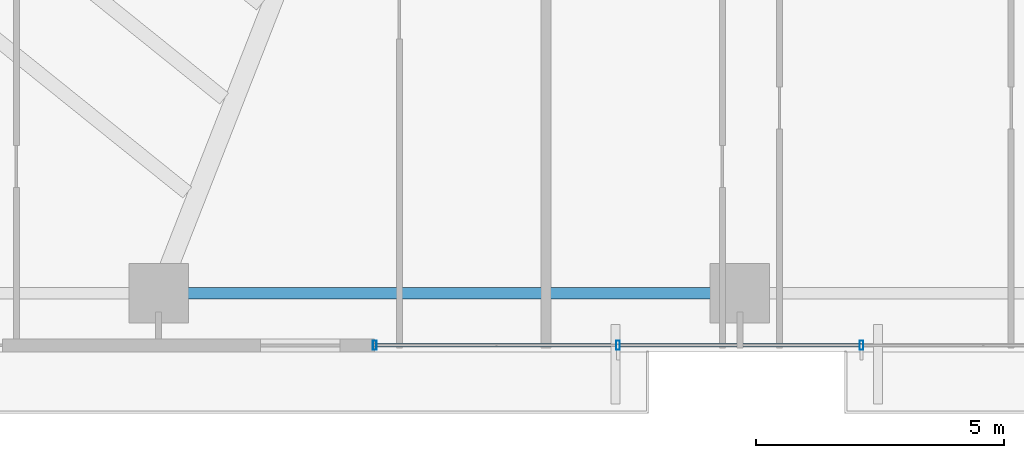
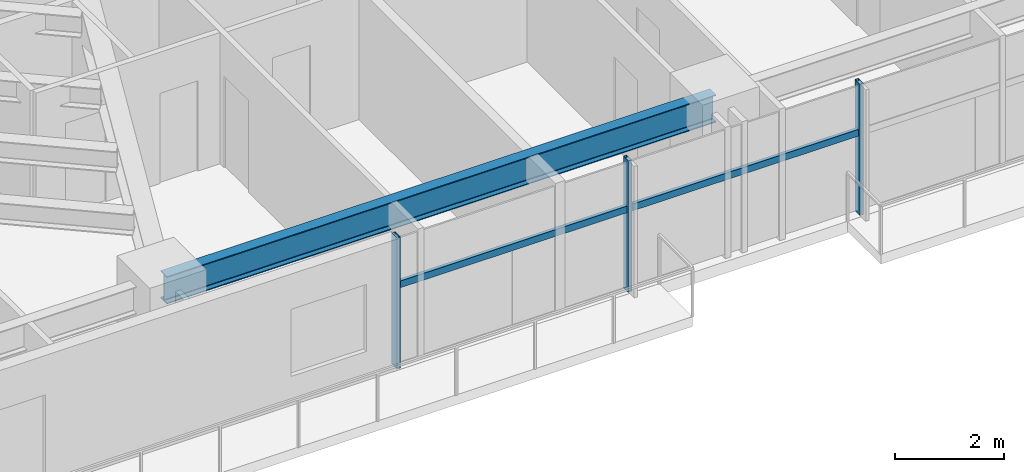
# One storey, part 6 of 25: 5 members, 1 beam, 1 element without a shape of its own.
"""IFC4 building model written with IfcOpenShell, lengths in metres."""

from ifc_helpers import new_model, si_unit, direction, frame, origin, origin_2d, place, context, subcontext, project, spatial, hollow_rectangle, i_section, extrude, source, transform, mapped, material, material_profile, profile_set, type_object, type_shapes, element, aggregate, save


model = new_model("IFC4")

# Units and contexts
model_context = context("Model", 3, precision=1e-05, world=origin(), true_north=direction((0.0, 1.0)))
body_context = subcontext(model_context, "Body", "Model", "MODEL_VIEW")
ifc_project = project(units=[si_unit("LENGTHUNIT", "METRE"), si_unit("AREAUNIT", "SQUARE_METRE"), si_unit("VOLUMEUNIT", "CUBIC_METRE"), si_unit("PLANEANGLEUNIT", "RADIAN"), si_unit("MASSUNIT", "GRAM", prefix="KILO")], contexts=[model_context])

# Site, building, storey
site_placement = place(None, origin())
site = spatial("IfcSite", under=ifc_project, at=site_placement, CompositionType="ELEMENT")
building_placement = place(site_placement, origin())
building = spatial("IfcBuilding", under=site, at=building_placement, Name="Astriad Promenade Condominiums", CompositionType="ELEMENT")
storey_placement = place(building_placement, frame((0.0, 0.0, 26.199951171875)))
storey = spatial("IfcBuildingStorey", under=building, at=storey_placement, Name="L06", CompositionType="ELEMENT", Elevation=26.199951171875)

# Beam
ifc_material_1 = material(Name="Steel ASTM A992 Grade 50", Category="steel")
ifc_material_profile_1 = material_profile(ifc_material_1, i_section(OverallWidth=0.22900390625, OverallDepth=0.612060546875, WebThickness=0.011962890625, FlangeThickness=0.01953125, FilletRadius=0.017822265625, at=origin_2d()), Name="W24X84")
ifc_profile_set_1 = profile_set([ifc_material_profile_1], Name="Steel ASTM A992 Grade 50")
beam_type = type_object("IfcBeamType", Name="STEEL SPANDREL BEAM W24X84", PredefinedType="SPANDREL", material=ifc_profile_set_1)
shared_shape_1 = source(origin(), body_context, "Body", "SweptSolid", [
    extrude(i_section(OverallWidth=0.22900390625, OverallDepth=0.612060546875, WebThickness=0.011962890625, FlangeThickness=0.01953125, FilletRadius=0.017822265625, at=origin_2d()), origin(), (0.0, 0.0, 1.0), 11.6201171875),
])
type_shapes(beam_type, [shared_shape_1])
beam_placement = place(storey_placement, frame((21.139892578125, 3.8798828125, 2.634033203125), z_axis=(1.0, 0.0, 0.0), x_axis=(0.0, 1.0, 0.0)))
element("IfcBeam", 1, at=beam_placement, inside=storey, type_object=beam_type, Name="Perimeter Spandrel Beam SP-S2-L06", PredefinedType="SPANDREL", context=body_context, shape_type="MappedRepresentation", body=[
    mapped(shared_shape_1, transform((0.0, 0.0, 0.0), scale=1.0)),
])

# Curtain wall, members
ifc_material_2 = material(Name="Anodised aluminium Black Dark Glass Unitised", Category="aluminium")
curtain_wall_type = type_object("IfcCurtainWallType", Name="CW-B1-DARK", PredefinedType="USERDEFINED", material=ifc_material_2)
curtain_wall_placement = place(storey_placement, origin())
curtain_wall = element("IfcCurtainWall", 2, at=curtain_wall_placement, inside=storey, type_object=curtain_wall_type, Name="CW-L06-S", ObjectType="UNITISED_CURTAIN_WALL", PredefinedType="USERDEFINED")
ifc_material_3 = material(Name="Anodised aluminium 6063-T6 Black", Category="aluminium")
ifc_material_profile_2 = material_profile(ifc_material_3, hollow_rectangle(XDim=0.074951171875, YDim=0.18505859375, WallThickness=0.00439453125, at=origin_2d()), Name="ALU-MUL-75X185")
ifc_profile_set_2 = profile_set([ifc_material_profile_2], Name="Anodised aluminium 6063-T6 Black")
member_type_1 = type_object("IfcMemberType", Name="MUL-ALU-MUL-75X185", PredefinedType="MULLION", material=ifc_profile_set_2)
shared_shape_2 = source(origin(), body_context, "Body", "SweptSolid", [
    extrude(hollow_rectangle(XDim=0.074951171875, YDim=0.18505859375, WallThickness=0.00439453125, at=origin_2d()), origin(), (0.0, 0.0, 1.0), 2.93994140625),
])
type_shapes(member_type_1, [shared_shape_2])
member_1_placement = place(storey_placement, frame((35.25, 2.830078125, 0.0), z_axis=(0.0, 0.0, 1.0), x_axis=(1.0, 0.0, 0.0)))
member_1 = element("IfcMember", 3, at=member_1_placement, type_object=member_type_1, Name="CW-L06-S-MUL-01", PredefinedType="MULLION", context=body_context, shape_type="MappedRepresentation", body=[
    mapped(shared_shape_2, transform((0.0, 0.0, 0.0), scale=1.0)),
])
member_2_placement = place(storey_placement, frame((30.35009765625, 2.830078125, 0.0), z_axis=(0.0, 0.0, 1.0), x_axis=(1.0, 0.0, 0.0)))
member_2 = element("IfcMember", 4, at=member_2_placement, type_object=member_type_1, Name="CW-L06-S-MUL-02", PredefinedType="MULLION", context=body_context, shape_type="MappedRepresentation", body=[
    mapped(shared_shape_2, transform((0.0, 0.0, 0.0), scale=1.0)),
])
member_3_placement = place(storey_placement, frame((25.449951171875, 2.830078125, 0.0), z_axis=(0.0, 0.0, 1.0), x_axis=(1.0, 0.0, 0.0)))
member_3 = element("IfcMember", 5, at=member_3_placement, type_object=member_type_1, Name="CW-L06-S-MUL-03", PredefinedType="MULLION", context=body_context, shape_type="MappedRepresentation", body=[
    mapped(shared_shape_2, transform((0.0, 0.0, 0.0), scale=1.0)),
])
ifc_material_profile_3 = material_profile(ifc_material_3, hollow_rectangle(XDim=0.074951171875, YDim=0.14990234375, WallThickness=0.004150390625, at=origin_2d()), Name="ALU-TRN-75X150")
ifc_profile_set_3 = profile_set([ifc_material_profile_3], Name="Anodised aluminium 6063-T6 Black")
member_type_2 = type_object("IfcMemberType", Name="TRN-ALU-TRN-75X150", PredefinedType="USERDEFINED", material=ifc_profile_set_3)
shared_shape_3 = source(origin(), body_context, "Body", "SweptSolid", [
    extrude(hollow_rectangle(XDim=0.074951171875, YDim=0.14990234375, WallThickness=0.004150390625, at=origin_2d()), origin(), (0.0, 0.0, 1.0), 4.900146484375),
])
member_4_placement = place(storey_placement, frame((30.35009765625, 2.830078125, 1.82275390625), z_axis=(-1.0, 0.0, 0.0), x_axis=(0.0, -1.0, 0.0)))
member_4 = element("IfcMember", 6, at=member_4_placement, type_object=member_type_2, Name="CW-L06-S-TRN-02-0", ObjectType="TRANSOM", PredefinedType="USERDEFINED", context=body_context, shape_type="MappedRepresentation", body=[
    mapped(shared_shape_3, transform((0.0, 0.0, 0.0), scale=1.0)),
])
shared_shape_4 = source(origin(), body_context, "Body", "SweptSolid", [
    extrude(hollow_rectangle(XDim=0.074951171875, YDim=0.14990234375, WallThickness=0.004150390625, at=origin_2d()), origin(), (0.0, 0.0, 1.0), 4.89990234375),
])
type_shapes(member_type_2, [shared_shape_3, shared_shape_4])
member_5_placement = place(storey_placement, frame((35.25, 2.830078125, 1.82275390625), z_axis=(-1.0, 0.0, 0.0), x_axis=(0.0, -1.0, 0.0)))
member_5 = element("IfcMember", 7, at=member_5_placement, type_object=member_type_2, Name="CW-L06-S-TRN-01-0", ObjectType="TRANSOM", PredefinedType="USERDEFINED", context=body_context, shape_type="MappedRepresentation", body=[
    mapped(shared_shape_4, transform((0.0, 0.0, 0.0), scale=1.0)),
])
aggregate(curtain_wall, [member_1, member_2, member_3, member_5, member_4])

save(model, "model.ifc")
